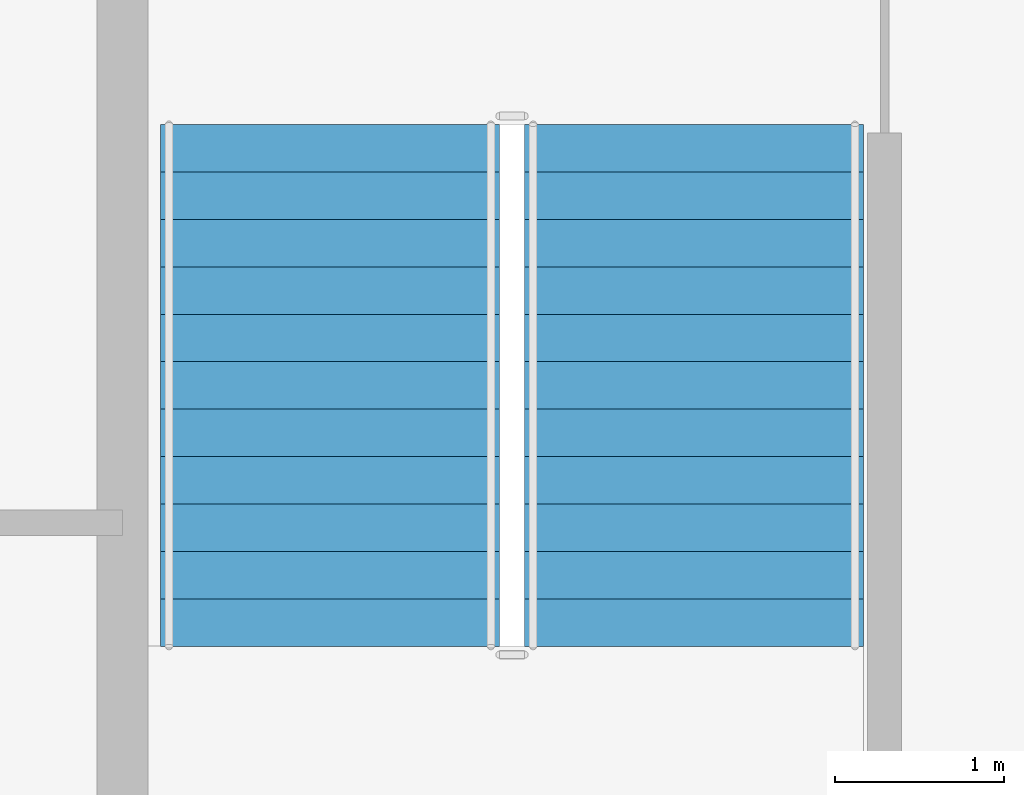
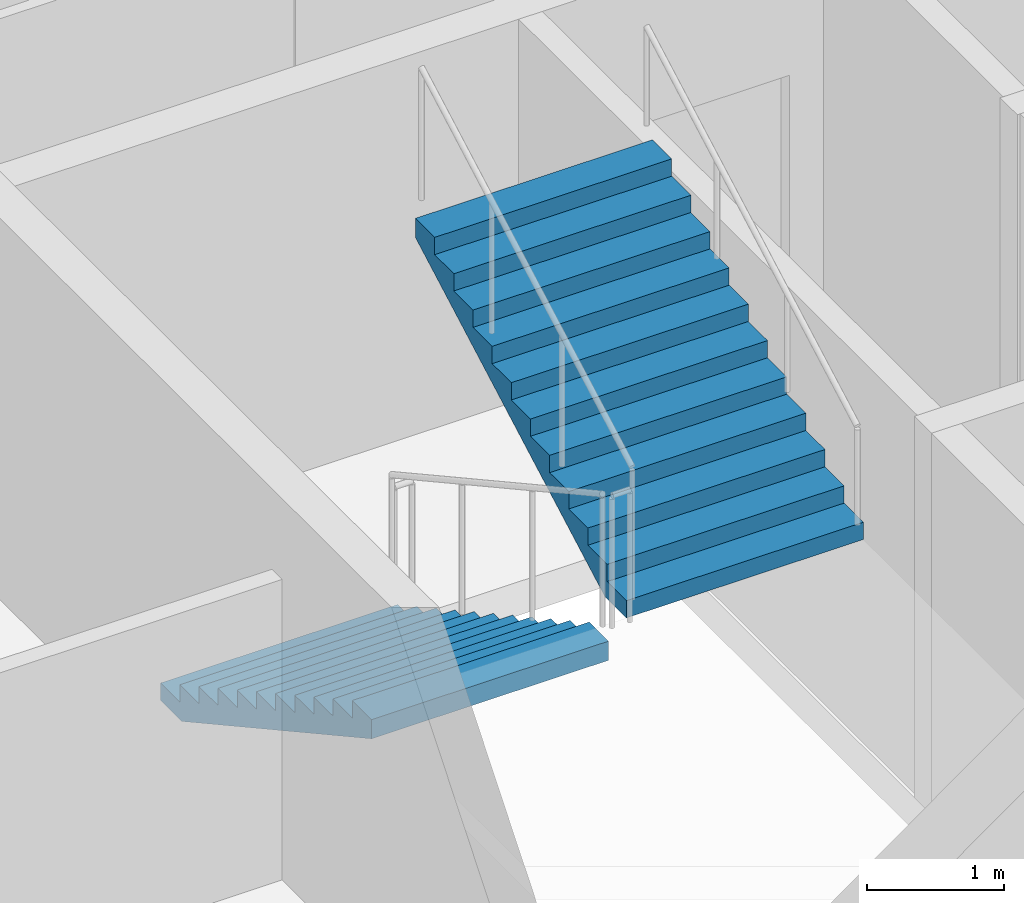
# One storey, part 8 of 12: 2 stair flights, 1 element without a shape of its own.
"""IFC4 building model written with IfcOpenShell, lengths in metres."""

from ifc_helpers import new_model, si_unit, direction, frame, origin, place, context, subcontext, project, spatial, polygons, material, type_object, element, aggregate, save


model = new_model("IFC4")

# Units and contexts
model_context = context("Model", 3, precision=1e-05, world=origin(), true_north=direction((0.0, 1.0)))
body_context = subcontext(model_context, "Body", "Model", "MODEL_VIEW")
ifc_project = project(units=[si_unit("LENGTHUNIT", "METRE"), si_unit("AREAUNIT", "SQUARE_METRE"), si_unit("VOLUMEUNIT", "CUBIC_METRE"), si_unit("PLANEANGLEUNIT", "RADIAN"), si_unit("MASSUNIT", "GRAM", prefix="KILO")], contexts=[model_context])

# Site, building, storey
site_placement = place(None, origin())
site = spatial("IfcSite", under=ifc_project, at=site_placement, CompositionType="ELEMENT")
building_placement = place(site_placement, origin())
building = spatial("IfcBuilding", under=site, at=building_placement, Name="Caravel Reach Hotel and Residences", CompositionType="ELEMENT")
storey_placement = place(building_placement, frame((0.0, 0.0, 245.300048828125)))
storey = spatial("IfcBuildingStorey", under=building, at=storey_placement, Name="L62", CompositionType="ELEMENT", Elevation=245.300048828125)

# Stair, stair flights
ifc_material_1 = material(Name="Concrete C40", Category="concrete")
stair_type = type_object("IfcStairType", Name="Core stair", PredefinedType="HALF_TURN_STAIR", material=ifc_material_1)
stair_placement = place(storey_placement, origin())
stair = element("IfcStair", 1, at=stair_placement, inside=storey, type_object=stair_type, Name="L62 Exit stair A", PredefinedType="HALF_TURN_STAIR")
ifc_material_2 = material(Name="Concrete C40", Category="concrete")
stair_flight_type = type_object("IfcStairFlightType", Name="Core stair flight", PredefinedType="STRAIGHT", material=ifc_material_2)
stair_flight_1_placement = place(storey_placement, frame((19.22509765625, 29.35009765625, 0.0), z_axis=(0.0, 0.0, 1.0), x_axis=(0.0, -1.0, 0.0)))
stair_flight_1 = element("IfcStairFlight", 2, at=stair_flight_1_placement, type_object=stair_flight_type, Name="ST-A flight 1", NumberOfRisers=12, NumberOfTreads=11, PredefinedType="STRAIGHT", RiserHeight=0.154166667, TreadLength=0.28, context=body_context, shape_type="Tessellation", body=[
    polygons([(0.3107950034306102, 1.0, 0.0), (0.3107950034306102, 0.6666666666666667, 0.0), (0.3107950034306102, 0.33333333333333337, 0.0), (0.3107950034306102, 0.0, 0.0), (0.3107950034306102, -0.33333333333333326, 0.0), (0.3107950034306102, -0.6666666666666667, 0.0), (0.3107950034306102, -1.0, 0.0), (3.081, 1.0, 1.524711087717319), (3.081, 0.6666666666666667, 1.524711087717319), (3.081, 0.33333333333333337, 1.524711087717319), (3.081, 0.0, 1.524711087717319), (3.081, -0.33333333333333326, 1.524711087717319), (3.081, -0.6666666666666667, 1.524711087717319), (3.081, -1.0, 1.524711087717319), (3.081, 1.0, 1.695833337), (3.081, 0.6666666666666667, 1.695833337), (3.081, 0.33333333333333337, 1.695833337), (3.081, 0.0, 1.695833337), (3.081, -0.33333333333333326, 1.695833337), (3.081, -0.6666666666666667, 1.695833337), (3.081, -1.0, 1.695833337), (2.8000000000000003, 1.0, 1.695833337), (2.8000000000000003, 0.6666666666666667, 1.695833337), (2.8000000000000003, 0.33333333333333337, 1.695833337), (2.8000000000000003, 0.0, 1.695833337), (2.8000000000000003, -0.33333333333333326, 1.695833337), (2.8000000000000003, -0.6666666666666667, 1.695833337), (2.8000000000000003, -1.0, 1.695833337), (2.8000000000000003, 1.0, 1.5416666700000001), (2.8000000000000003, 0.6666666666666667, 1.5416666700000001), (2.8000000000000003, 0.33333333333333337, 1.5416666700000001), (2.8000000000000003, 0.0, 1.5416666700000001), (2.8000000000000003, -0.33333333333333326, 1.5416666700000001), (2.8000000000000003, -0.6666666666666667, 1.5416666700000001), (2.8000000000000003, -1.0, 1.5416666700000001), (2.5200000000000005, 1.0, 1.5416666700000001), (2.5200000000000005, 0.6666666666666667, 1.5416666700000001), (2.5200000000000005, 0.33333333333333337, 1.5416666700000001), (2.5200000000000005, 0.0, 1.5416666700000001), (2.5200000000000005, -0.33333333333333326, 1.5416666700000001), (2.5200000000000005, -0.6666666666666667, 1.5416666700000001), (2.5200000000000005, -1.0, 1.5416666700000001), (2.5200000000000005, 1.0, 1.387500003), (2.5200000000000005, 0.6666666666666667, 1.387500003), (2.5200000000000005, 0.33333333333333337, 1.387500003), (2.5200000000000005, 0.0, 1.387500003), (2.5200000000000005, -0.33333333333333326, 1.387500003), (2.5200000000000005, -0.6666666666666667, 1.387500003), (2.5200000000000005, -1.0, 1.387500003), (2.24, 1.0, 1.387500003), (2.24, 0.6666666666666667, 1.387500003), (2.24, 0.33333333333333337, 1.387500003), (2.24, 0.0, 1.387500003), (2.24, -0.33333333333333326, 1.387500003), (2.24, -0.6666666666666667, 1.387500003), (2.24, -1.0, 1.387500003), (2.24, 1.0, 1.233333336), (2.24, 0.6666666666666667, 1.233333336), (2.24, 0.33333333333333337, 1.233333336), (2.24, 0.0, 1.233333336), (2.24, -0.33333333333333326, 1.233333336), (2.24, -0.6666666666666667, 1.233333336), (2.24, -1.0, 1.233333336), (1.9600000000000002, 1.0, 1.233333336), (1.9600000000000002, 0.6666666666666667, 1.233333336), (1.9600000000000002, 0.33333333333333337, 1.233333336), (1.9600000000000002, 0.0, 1.233333336), (1.9600000000000002, -0.33333333333333326, 1.233333336), (1.9600000000000002, -0.6666666666666667, 1.233333336), (1.9600000000000002, -1.0, 1.233333336), (1.9600000000000002, 1.0, 1.0791666690000001), (1.9600000000000002, 0.6666666666666667, 1.0791666690000001), (1.9600000000000002, 0.33333333333333337, 1.0791666690000001), (1.9600000000000002, 0.0, 1.0791666690000001), (1.9600000000000002, -0.33333333333333326, 1.0791666690000001), (1.9600000000000002, -0.6666666666666667, 1.0791666690000001), (1.9600000000000002, -1.0, 1.0791666690000001), (1.6800000000000002, 1.0, 1.0791666690000001), (1.6800000000000002, 0.6666666666666667, 1.0791666690000001), (1.6800000000000002, 0.33333333333333337, 1.0791666690000001), (1.6800000000000002, 0.0, 1.0791666690000001), (1.6800000000000002, -0.33333333333333326, 1.0791666690000001), (1.6800000000000002, -0.6666666666666667, 1.0791666690000001), (1.6800000000000002, -1.0, 1.0791666690000001), (1.6800000000000002, 1.0, 0.925000002), (1.6800000000000002, 0.6666666666666667, 0.925000002), (1.6800000000000002, 0.33333333333333337, 0.925000002), (1.6800000000000002, 0.0, 0.925000002), (1.6800000000000002, -0.33333333333333326, 0.925000002), (1.6800000000000002, -0.6666666666666667, 0.925000002), (1.6800000000000002, -1.0, 0.925000002), (1.4000000000000001, 1.0, 0.925000002), (1.4000000000000001, 0.6666666666666667, 0.925000002), (1.4000000000000001, 0.33333333333333337, 0.925000002), (1.4000000000000001, 0.0, 0.925000002), (1.4000000000000001, -0.33333333333333326, 0.925000002), (1.4000000000000001, -0.6666666666666667, 0.925000002), (1.4000000000000001, -1.0, 0.925000002), (1.4000000000000001, 1.0, 0.7708333350000001), (1.4000000000000001, 0.6666666666666667, 0.7708333350000001), (1.4000000000000001, 0.33333333333333337, 0.7708333350000001), (1.4000000000000001, 0.0, 0.7708333350000001), (1.4000000000000001, -0.33333333333333326, 0.7708333350000001), (1.4000000000000001, -0.6666666666666667, 0.7708333350000001), (1.4000000000000001, -1.0, 0.7708333350000001), (1.12, 1.0, 0.7708333350000001), (1.12, 0.6666666666666667, 0.7708333350000001), (1.12, 0.33333333333333337, 0.7708333350000001), (1.12, 0.0, 0.7708333350000001), (1.12, -0.33333333333333326, 0.7708333350000001), (1.12, -0.6666666666666667, 0.7708333350000001), (1.12, -1.0, 0.7708333350000001), (1.12, 1.0, 0.616666668), (1.12, 0.6666666666666667, 0.616666668), (1.12, 0.33333333333333337, 0.616666668), (1.12, 0.0, 0.616666668), (1.12, -0.33333333333333326, 0.616666668), (1.12, -0.6666666666666667, 0.616666668), (1.12, -1.0, 0.616666668), (0.8400000000000001, 1.0, 0.616666668), (0.8400000000000001, 0.6666666666666667, 0.616666668), (0.8400000000000001, 0.33333333333333337, 0.616666668), (0.8400000000000001, 0.0, 0.616666668), (0.8400000000000001, -0.33333333333333326, 0.616666668), (0.8400000000000001, -0.6666666666666667, 0.616666668), (0.8400000000000001, -1.0, 0.616666668), (0.8400000000000001, 1.0, 0.462500001), (0.8400000000000001, 0.6666666666666667, 0.462500001), (0.8400000000000001, 0.33333333333333337, 0.462500001), (0.8400000000000001, 0.0, 0.462500001), (0.8400000000000001, -0.33333333333333326, 0.462500001), (0.8400000000000001, -0.6666666666666667, 0.462500001), (0.8400000000000001, -1.0, 0.462500001), (0.56, 1.0, 0.462500001), (0.56, 0.6666666666666667, 0.462500001), (0.56, 0.33333333333333337, 0.462500001), (0.56, 0.0, 0.462500001), (0.56, -0.33333333333333326, 0.462500001), (0.56, -0.6666666666666667, 0.462500001), (0.56, -1.0, 0.462500001), (0.56, 1.0, 0.308333334), (0.56, 0.6666666666666667, 0.308333334), (0.56, 0.33333333333333337, 0.308333334), (0.56, 0.0, 0.308333334), (0.56, -0.33333333333333326, 0.308333334), (0.56, -0.6666666666666667, 0.308333334), (0.56, -1.0, 0.308333334), (0.28, 1.0, 0.308333334), (0.28, 0.6666666666666667, 0.308333334), (0.28, 0.33333333333333337, 0.308333334), (0.28, 0.0, 0.308333334), (0.28, -0.33333333333333326, 0.308333334), (0.28, -0.6666666666666667, 0.308333334), (0.28, -1.0, 0.308333334), (0.28, 1.0, 0.154166667), (0.28, 0.6666666666666667, 0.154166667), (0.28, 0.33333333333333337, 0.154166667), (0.28, 0.0, 0.154166667), (0.28, -0.33333333333333326, 0.154166667), (0.28, -0.6666666666666667, 0.154166667), (0.28, -1.0, 0.154166667), (-0.001, 1.0, 0.154166667), (-0.001, 0.6666666666666667, 0.154166667), (-0.001, 0.33333333333333337, 0.154166667), (-0.001, 0.0, 0.154166667), (-0.001, -0.33333333333333326, 0.154166667), (-0.001, -0.6666666666666667, 0.154166667), (-0.001, -1.0, 0.154166667), (-0.001, 1.0, 0.0), (-0.001, 0.6666666666666667, 0.0), (-0.001, 0.33333333333333337, 0.0), (-0.001, 0.0, 0.0), (-0.001, -0.33333333333333326, 0.0), (-0.001, -0.6666666666666667, 0.0), (-0.001, -1.0, 0.0)], [[[169, 162, 155, 148, 141, 134, 127, 120, 113, 106, 99, 92, 85, 78, 71, 64, 57, 50, 43, 36, 29, 22, 15, 8, 1]], [[7, 14, 21, 28, 35, 42, 49, 56, 63, 70, 77, 84, 91, 98, 105, 112, 119, 126, 133, 140, 147, 154, 161, 168, 175]], [[1, 8, 9, 2]], [[2, 9, 10, 3]], [[3, 10, 11, 4]], [[4, 11, 12, 5]], [[5, 12, 13, 6]], [[6, 13, 14, 7]], [[8, 15, 16, 9]], [[9, 16, 17, 10]], [[10, 17, 18, 11]], [[11, 18, 19, 12]], [[12, 19, 20, 13]], [[13, 20, 21, 14]], [[15, 22, 23, 16]], [[16, 23, 24, 17]], [[17, 24, 25, 18]], [[18, 25, 26, 19]], [[19, 26, 27, 20]], [[20, 27, 28, 21]], [[22, 29, 30, 23]], [[23, 30, 31, 24]], [[24, 31, 32, 25]], [[25, 32, 33, 26]], [[26, 33, 34, 27]], [[27, 34, 35, 28]], [[29, 36, 37, 30]], [[30, 37, 38, 31]], [[31, 38, 39, 32]], [[32, 39, 40, 33]], [[33, 40, 41, 34]], [[34, 41, 42, 35]], [[36, 43, 44, 37]], [[37, 44, 45, 38]], [[38, 45, 46, 39]], [[39, 46, 47, 40]], [[40, 47, 48, 41]], [[41, 48, 49, 42]], [[43, 50, 51, 44]], [[44, 51, 52, 45]], [[45, 52, 53, 46]], [[46, 53, 54, 47]], [[47, 54, 55, 48]], [[48, 55, 56, 49]], [[50, 57, 58, 51]], [[51, 58, 59, 52]], [[52, 59, 60, 53]], [[53, 60, 61, 54]], [[54, 61, 62, 55]], [[55, 62, 63, 56]], [[57, 64, 65, 58]], [[58, 65, 66, 59]], [[59, 66, 67, 60]], [[60, 67, 68, 61]], [[61, 68, 69, 62]], [[62, 69, 70, 63]], [[64, 71, 72, 65]], [[65, 72, 73, 66]], [[66, 73, 74, 67]], [[67, 74, 75, 68]], [[68, 75, 76, 69]], [[69, 76, 77, 70]], [[71, 78, 79, 72]], [[72, 79, 80, 73]], [[73, 80, 81, 74]], [[74, 81, 82, 75]], [[75, 82, 83, 76]], [[76, 83, 84, 77]], [[78, 85, 86, 79]], [[79, 86, 87, 80]], [[80, 87, 88, 81]], [[81, 88, 89, 82]], [[82, 89, 90, 83]], [[83, 90, 91, 84]], [[85, 92, 93, 86]], [[86, 93, 94, 87]], [[87, 94, 95, 88]], [[88, 95, 96, 89]], [[89, 96, 97, 90]], [[90, 97, 98, 91]], [[92, 99, 100, 93]], [[93, 100, 101, 94]], [[94, 101, 102, 95]], [[95, 102, 103, 96]], [[96, 103, 104, 97]], [[97, 104, 105, 98]], [[99, 106, 107, 100]], [[100, 107, 108, 101]], [[101, 108, 109, 102]], [[102, 109, 110, 103]], [[103, 110, 111, 104]], [[104, 111, 112, 105]], [[106, 113, 114, 107]], [[107, 114, 115, 108]], [[108, 115, 116, 109]], [[109, 116, 117, 110]], [[110, 117, 118, 111]], [[111, 118, 119, 112]], [[113, 120, 121, 114]], [[114, 121, 122, 115]], [[115, 122, 123, 116]], [[116, 123, 124, 117]], [[117, 124, 125, 118]], [[118, 125, 126, 119]], [[120, 127, 128, 121]], [[121, 128, 129, 122]], [[122, 129, 130, 123]], [[123, 130, 131, 124]], [[124, 131, 132, 125]], [[125, 132, 133, 126]], [[127, 134, 135, 128]], [[128, 135, 136, 129]], [[129, 136, 137, 130]], [[130, 137, 138, 131]], [[131, 138, 139, 132]], [[132, 139, 140, 133]], [[134, 141, 142, 135]], [[135, 142, 143, 136]], [[136, 143, 144, 137]], [[137, 144, 145, 138]], [[138, 145, 146, 139]], [[139, 146, 147, 140]], [[141, 148, 149, 142]], [[142, 149, 150, 143]], [[143, 150, 151, 144]], [[144, 151, 152, 145]], [[145, 152, 153, 146]], [[146, 153, 154, 147]], [[148, 155, 156, 149]], [[149, 156, 157, 150]], [[150, 157, 158, 151]], [[151, 158, 159, 152]], [[152, 159, 160, 153]], [[153, 160, 161, 154]], [[155, 162, 163, 156]], [[156, 163, 164, 157]], [[157, 164, 165, 158]], [[158, 165, 166, 159]], [[159, 166, 167, 160]], [[160, 167, 168, 161]], [[162, 169, 170, 163]], [[163, 170, 171, 164]], [[164, 171, 172, 165]], [[165, 172, 173, 166]], [[166, 173, 174, 167]], [[167, 174, 175, 168]], [[169, 1, 2, 170]], [[170, 2, 3, 171]], [[171, 3, 4, 172]], [[172, 4, 5, 173]], [[173, 5, 6, 174]], [[174, 6, 7, 175]]], closed=True),
])
stair_flight_2_placement = place(storey_placement, frame((21.375, 26.27001953125, 1.849853515625), z_axis=(0.0, 0.0, 1.0), x_axis=(0.0, 1.0, 0.0)))
stair_flight_2 = element("IfcStairFlight", 3, at=stair_flight_2_placement, type_object=stair_flight_type, Name="ST-A flight 2", NumberOfRisers=12, NumberOfTreads=11, PredefinedType="STRAIGHT", RiserHeight=0.154166667, TreadLength=0.28, context=body_context, shape_type="Tessellation", body=[
    polygons([(0.3107950034306102, 1.0, 0.0), (0.3107950034306102, 0.6666666666666667, 0.0), (0.3107950034306102, 0.33333333333333337, 0.0), (0.3107950034306102, 0.0, 0.0), (0.3107950034306102, -0.33333333333333326, 0.0), (0.3107950034306102, -0.6666666666666667, 0.0), (0.3107950034306102, -1.0, 0.0), (3.081, 1.0, 1.524711087717319), (3.081, 0.6666666666666667, 1.524711087717319), (3.081, 0.33333333333333337, 1.524711087717319), (3.081, 0.0, 1.524711087717319), (3.081, -0.33333333333333326, 1.524711087717319), (3.081, -0.6666666666666667, 1.524711087717319), (3.081, -1.0, 1.524711087717319), (3.081, 1.0, 1.695833337), (3.081, 0.6666666666666667, 1.695833337), (3.081, 0.33333333333333337, 1.695833337), (3.081, 0.0, 1.695833337), (3.081, -0.33333333333333326, 1.695833337), (3.081, -0.6666666666666667, 1.695833337), (3.081, -1.0, 1.695833337), (2.8000000000000003, 1.0, 1.695833337), (2.8000000000000003, 0.6666666666666667, 1.695833337), (2.8000000000000003, 0.33333333333333337, 1.695833337), (2.8000000000000003, 0.0, 1.695833337), (2.8000000000000003, -0.33333333333333326, 1.695833337), (2.8000000000000003, -0.6666666666666667, 1.695833337), (2.8000000000000003, -1.0, 1.695833337), (2.8000000000000003, 1.0, 1.5416666700000001), (2.8000000000000003, 0.6666666666666667, 1.5416666700000001), (2.8000000000000003, 0.33333333333333337, 1.5416666700000001), (2.8000000000000003, 0.0, 1.5416666700000001), (2.8000000000000003, -0.33333333333333326, 1.5416666700000001), (2.8000000000000003, -0.6666666666666667, 1.5416666700000001), (2.8000000000000003, -1.0, 1.5416666700000001), (2.5200000000000005, 1.0, 1.5416666700000001), (2.5200000000000005, 0.6666666666666667, 1.5416666700000001), (2.5200000000000005, 0.33333333333333337, 1.5416666700000001), (2.5200000000000005, 0.0, 1.5416666700000001), (2.5200000000000005, -0.33333333333333326, 1.5416666700000001), (2.5200000000000005, -0.6666666666666667, 1.5416666700000001), (2.5200000000000005, -1.0, 1.5416666700000001), (2.5200000000000005, 1.0, 1.387500003), (2.5200000000000005, 0.6666666666666667, 1.387500003), (2.5200000000000005, 0.33333333333333337, 1.387500003), (2.5200000000000005, 0.0, 1.387500003), (2.5200000000000005, -0.33333333333333326, 1.387500003), (2.5200000000000005, -0.6666666666666667, 1.387500003), (2.5200000000000005, -1.0, 1.387500003), (2.24, 1.0, 1.387500003), (2.24, 0.6666666666666667, 1.387500003), (2.24, 0.33333333333333337, 1.387500003), (2.24, 0.0, 1.387500003), (2.24, -0.33333333333333326, 1.387500003), (2.24, -0.6666666666666667, 1.387500003), (2.24, -1.0, 1.387500003), (2.24, 1.0, 1.233333336), (2.24, 0.6666666666666667, 1.233333336), (2.24, 0.33333333333333337, 1.233333336), (2.24, 0.0, 1.233333336), (2.24, -0.33333333333333326, 1.233333336), (2.24, -0.6666666666666667, 1.233333336), (2.24, -1.0, 1.233333336), (1.9600000000000002, 1.0, 1.233333336), (1.9600000000000002, 0.6666666666666667, 1.233333336), (1.9600000000000002, 0.33333333333333337, 1.233333336), (1.9600000000000002, 0.0, 1.233333336), (1.9600000000000002, -0.33333333333333326, 1.233333336), (1.9600000000000002, -0.6666666666666667, 1.233333336), (1.9600000000000002, -1.0, 1.233333336), (1.9600000000000002, 1.0, 1.0791666690000001), (1.9600000000000002, 0.6666666666666667, 1.0791666690000001), (1.9600000000000002, 0.33333333333333337, 1.0791666690000001), (1.9600000000000002, 0.0, 1.0791666690000001), (1.9600000000000002, -0.33333333333333326, 1.0791666690000001), (1.9600000000000002, -0.6666666666666667, 1.0791666690000001), (1.9600000000000002, -1.0, 1.0791666690000001), (1.6800000000000002, 1.0, 1.0791666690000001), (1.6800000000000002, 0.6666666666666667, 1.0791666690000001), (1.6800000000000002, 0.33333333333333337, 1.0791666690000001), (1.6800000000000002, 0.0, 1.0791666690000001), (1.6800000000000002, -0.33333333333333326, 1.0791666690000001), (1.6800000000000002, -0.6666666666666667, 1.0791666690000001), (1.6800000000000002, -1.0, 1.0791666690000001), (1.6800000000000002, 1.0, 0.925000002), (1.6800000000000002, 0.6666666666666667, 0.925000002), (1.6800000000000002, 0.33333333333333337, 0.925000002), (1.6800000000000002, 0.0, 0.925000002), (1.6800000000000002, -0.33333333333333326, 0.925000002), (1.6800000000000002, -0.6666666666666667, 0.925000002), (1.6800000000000002, -1.0, 0.925000002), (1.4000000000000001, 1.0, 0.925000002), (1.4000000000000001, 0.6666666666666667, 0.925000002), (1.4000000000000001, 0.33333333333333337, 0.925000002), (1.4000000000000001, 0.0, 0.925000002), (1.4000000000000001, -0.33333333333333326, 0.925000002), (1.4000000000000001, -0.6666666666666667, 0.925000002), (1.4000000000000001, -1.0, 0.925000002), (1.4000000000000001, 1.0, 0.7708333350000001), (1.4000000000000001, 0.6666666666666667, 0.7708333350000001), (1.4000000000000001, 0.33333333333333337, 0.7708333350000001), (1.4000000000000001, 0.0, 0.7708333350000001), (1.4000000000000001, -0.33333333333333326, 0.7708333350000001), (1.4000000000000001, -0.6666666666666667, 0.7708333350000001), (1.4000000000000001, -1.0, 0.7708333350000001), (1.12, 1.0, 0.7708333350000001), (1.12, 0.6666666666666667, 0.7708333350000001), (1.12, 0.33333333333333337, 0.7708333350000001), (1.12, 0.0, 0.7708333350000001), (1.12, -0.33333333333333326, 0.7708333350000001), (1.12, -0.6666666666666667, 0.7708333350000001), (1.12, -1.0, 0.7708333350000001), (1.12, 1.0, 0.616666668), (1.12, 0.6666666666666667, 0.616666668), (1.12, 0.33333333333333337, 0.616666668), (1.12, 0.0, 0.616666668), (1.12, -0.33333333333333326, 0.616666668), (1.12, -0.6666666666666667, 0.616666668), (1.12, -1.0, 0.616666668), (0.8400000000000001, 1.0, 0.616666668), (0.8400000000000001, 0.6666666666666667, 0.616666668), (0.8400000000000001, 0.33333333333333337, 0.616666668), (0.8400000000000001, 0.0, 0.616666668), (0.8400000000000001, -0.33333333333333326, 0.616666668), (0.8400000000000001, -0.6666666666666667, 0.616666668), (0.8400000000000001, -1.0, 0.616666668), (0.8400000000000001, 1.0, 0.462500001), (0.8400000000000001, 0.6666666666666667, 0.462500001), (0.8400000000000001, 0.33333333333333337, 0.462500001), (0.8400000000000001, 0.0, 0.462500001), (0.8400000000000001, -0.33333333333333326, 0.462500001), (0.8400000000000001, -0.6666666666666667, 0.462500001), (0.8400000000000001, -1.0, 0.462500001), (0.56, 1.0, 0.462500001), (0.56, 0.6666666666666667, 0.462500001), (0.56, 0.33333333333333337, 0.462500001), (0.56, 0.0, 0.462500001), (0.56, -0.33333333333333326, 0.462500001), (0.56, -0.6666666666666667, 0.462500001), (0.56, -1.0, 0.462500001), (0.56, 1.0, 0.308333334), (0.56, 0.6666666666666667, 0.308333334), (0.56, 0.33333333333333337, 0.308333334), (0.56, 0.0, 0.308333334), (0.56, -0.33333333333333326, 0.308333334), (0.56, -0.6666666666666667, 0.308333334), (0.56, -1.0, 0.308333334), (0.28, 1.0, 0.308333334), (0.28, 0.6666666666666667, 0.308333334), (0.28, 0.33333333333333337, 0.308333334), (0.28, 0.0, 0.308333334), (0.28, -0.33333333333333326, 0.308333334), (0.28, -0.6666666666666667, 0.308333334), (0.28, -1.0, 0.308333334), (0.28, 1.0, 0.154166667), (0.28, 0.6666666666666667, 0.154166667), (0.28, 0.33333333333333337, 0.154166667), (0.28, 0.0, 0.154166667), (0.28, -0.33333333333333326, 0.154166667), (0.28, -0.6666666666666667, 0.154166667), (0.28, -1.0, 0.154166667), (-0.001, 1.0, 0.154166667), (-0.001, 0.6666666666666667, 0.154166667), (-0.001, 0.33333333333333337, 0.154166667), (-0.001, 0.0, 0.154166667), (-0.001, -0.33333333333333326, 0.154166667), (-0.001, -0.6666666666666667, 0.154166667), (-0.001, -1.0, 0.154166667), (-0.001, 1.0, 0.0), (-0.001, 0.6666666666666667, 0.0), (-0.001, 0.33333333333333337, 0.0), (-0.001, 0.0, 0.0), (-0.001, -0.33333333333333326, 0.0), (-0.001, -0.6666666666666667, 0.0), (-0.001, -1.0, 0.0)], [[[169, 162, 155, 148, 141, 134, 127, 120, 113, 106, 99, 92, 85, 78, 71, 64, 57, 50, 43, 36, 29, 22, 15, 8, 1]], [[7, 14, 21, 28, 35, 42, 49, 56, 63, 70, 77, 84, 91, 98, 105, 112, 119, 126, 133, 140, 147, 154, 161, 168, 175]], [[1, 8, 9, 2]], [[2, 9, 10, 3]], [[3, 10, 11, 4]], [[4, 11, 12, 5]], [[5, 12, 13, 6]], [[6, 13, 14, 7]], [[8, 15, 16, 9]], [[9, 16, 17, 10]], [[10, 17, 18, 11]], [[11, 18, 19, 12]], [[12, 19, 20, 13]], [[13, 20, 21, 14]], [[15, 22, 23, 16]], [[16, 23, 24, 17]], [[17, 24, 25, 18]], [[18, 25, 26, 19]], [[19, 26, 27, 20]], [[20, 27, 28, 21]], [[22, 29, 30, 23]], [[23, 30, 31, 24]], [[24, 31, 32, 25]], [[25, 32, 33, 26]], [[26, 33, 34, 27]], [[27, 34, 35, 28]], [[29, 36, 37, 30]], [[30, 37, 38, 31]], [[31, 38, 39, 32]], [[32, 39, 40, 33]], [[33, 40, 41, 34]], [[34, 41, 42, 35]], [[36, 43, 44, 37]], [[37, 44, 45, 38]], [[38, 45, 46, 39]], [[39, 46, 47, 40]], [[40, 47, 48, 41]], [[41, 48, 49, 42]], [[43, 50, 51, 44]], [[44, 51, 52, 45]], [[45, 52, 53, 46]], [[46, 53, 54, 47]], [[47, 54, 55, 48]], [[48, 55, 56, 49]], [[50, 57, 58, 51]], [[51, 58, 59, 52]], [[52, 59, 60, 53]], [[53, 60, 61, 54]], [[54, 61, 62, 55]], [[55, 62, 63, 56]], [[57, 64, 65, 58]], [[58, 65, 66, 59]], [[59, 66, 67, 60]], [[60, 67, 68, 61]], [[61, 68, 69, 62]], [[62, 69, 70, 63]], [[64, 71, 72, 65]], [[65, 72, 73, 66]], [[66, 73, 74, 67]], [[67, 74, 75, 68]], [[68, 75, 76, 69]], [[69, 76, 77, 70]], [[71, 78, 79, 72]], [[72, 79, 80, 73]], [[73, 80, 81, 74]], [[74, 81, 82, 75]], [[75, 82, 83, 76]], [[76, 83, 84, 77]], [[78, 85, 86, 79]], [[79, 86, 87, 80]], [[80, 87, 88, 81]], [[81, 88, 89, 82]], [[82, 89, 90, 83]], [[83, 90, 91, 84]], [[85, 92, 93, 86]], [[86, 93, 94, 87]], [[87, 94, 95, 88]], [[88, 95, 96, 89]], [[89, 96, 97, 90]], [[90, 97, 98, 91]], [[92, 99, 100, 93]], [[93, 100, 101, 94]], [[94, 101, 102, 95]], [[95, 102, 103, 96]], [[96, 103, 104, 97]], [[97, 104, 105, 98]], [[99, 106, 107, 100]], [[100, 107, 108, 101]], [[101, 108, 109, 102]], [[102, 109, 110, 103]], [[103, 110, 111, 104]], [[104, 111, 112, 105]], [[106, 113, 114, 107]], [[107, 114, 115, 108]], [[108, 115, 116, 109]], [[109, 116, 117, 110]], [[110, 117, 118, 111]], [[111, 118, 119, 112]], [[113, 120, 121, 114]], [[114, 121, 122, 115]], [[115, 122, 123, 116]], [[116, 123, 124, 117]], [[117, 124, 125, 118]], [[118, 125, 126, 119]], [[120, 127, 128, 121]], [[121, 128, 129, 122]], [[122, 129, 130, 123]], [[123, 130, 131, 124]], [[124, 131, 132, 125]], [[125, 132, 133, 126]], [[127, 134, 135, 128]], [[128, 135, 136, 129]], [[129, 136, 137, 130]], [[130, 137, 138, 131]], [[131, 138, 139, 132]], [[132, 139, 140, 133]], [[134, 141, 142, 135]], [[135, 142, 143, 136]], [[136, 143, 144, 137]], [[137, 144, 145, 138]], [[138, 145, 146, 139]], [[139, 146, 147, 140]], [[141, 148, 149, 142]], [[142, 149, 150, 143]], [[143, 150, 151, 144]], [[144, 151, 152, 145]], [[145, 152, 153, 146]], [[146, 153, 154, 147]], [[148, 155, 156, 149]], [[149, 156, 157, 150]], [[150, 157, 158, 151]], [[151, 158, 159, 152]], [[152, 159, 160, 153]], [[153, 160, 161, 154]], [[155, 162, 163, 156]], [[156, 163, 164, 157]], [[157, 164, 165, 158]], [[158, 165, 166, 159]], [[159, 166, 167, 160]], [[160, 167, 168, 161]], [[162, 169, 170, 163]], [[163, 170, 171, 164]], [[164, 171, 172, 165]], [[165, 172, 173, 166]], [[166, 173, 174, 167]], [[167, 174, 175, 168]], [[169, 1, 2, 170]], [[170, 2, 3, 171]], [[171, 3, 4, 172]], [[172, 4, 5, 173]], [[173, 5, 6, 174]], [[174, 6, 7, 175]]], closed=True),
])
aggregate(stair, [stair_flight_1, stair_flight_2])

save(model, "model.ifc")
